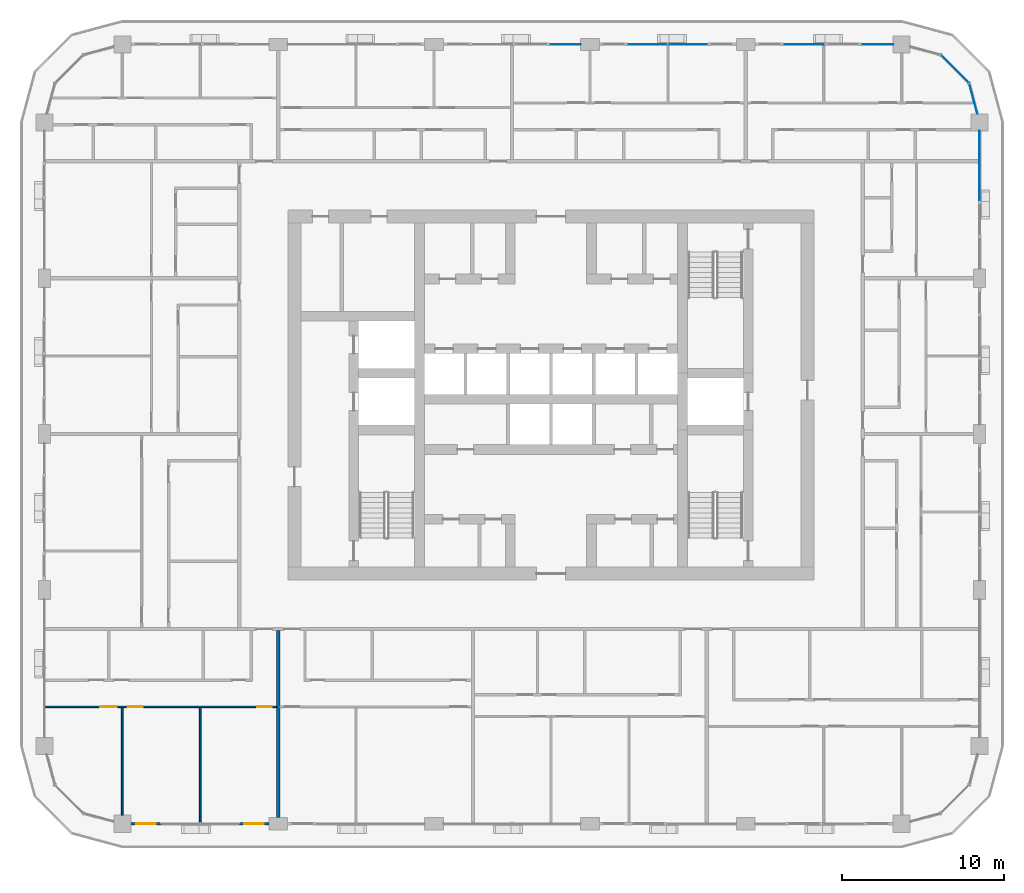
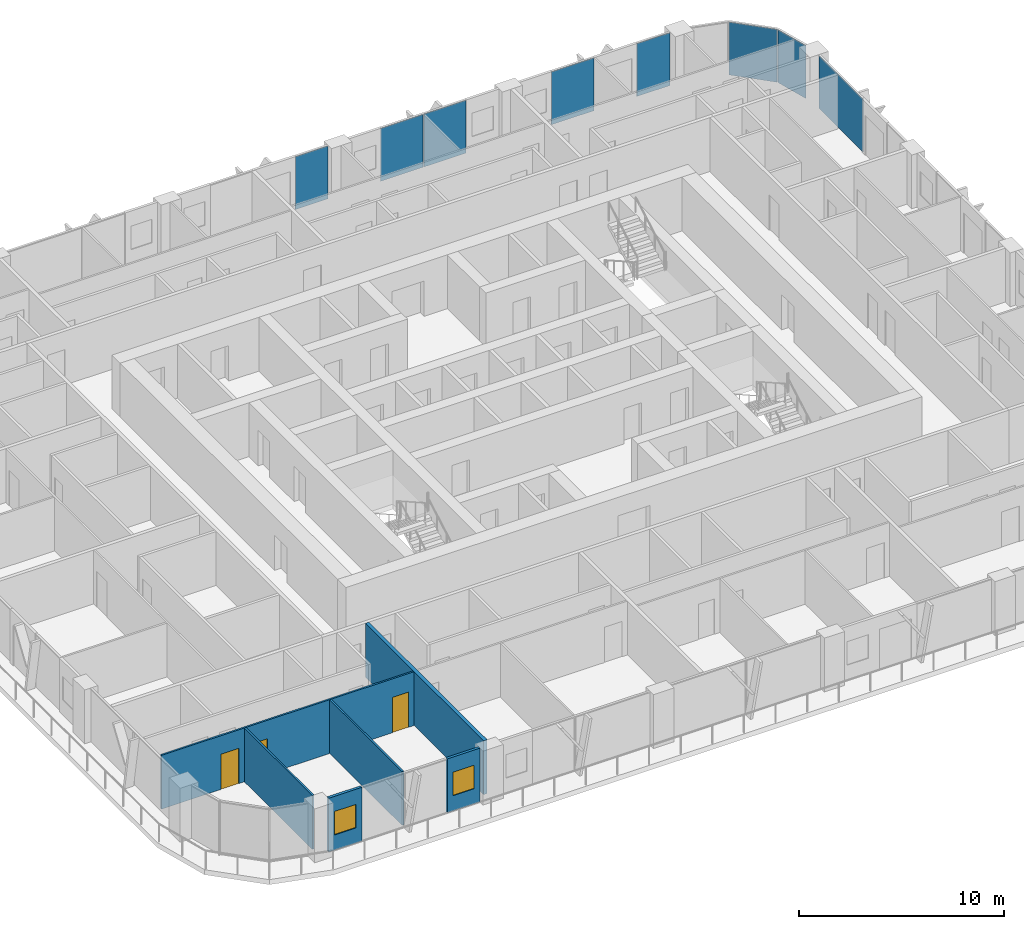
# One storey, part 8 of 22: 8 plates, 6 walls, 3 doors, 2 windows, 5 openings, 5 elements without a shape of their own.
"""IFC4 building model written with IfcOpenShell, lengths in metres."""

from ifc_helpers import new_model, si_unit, direction, frame, frame_2d, origin, origin_2d, place, context, subcontext, project, spatial, rectangle, extrude, material, layer, layer_set, type_object, element, fill, aggregate, save


model = new_model("IFC4")

# Units and contexts
model_context = context("Model", 3, precision=1e-05, world=origin(), true_north=direction((0.0, 1.0)))
body_context = subcontext(model_context, "Body", "Model", "MODEL_VIEW")
ifc_project = project(units=[si_unit("LENGTHUNIT", "METRE"), si_unit("AREAUNIT", "SQUARE_METRE"), si_unit("VOLUMEUNIT", "CUBIC_METRE"), si_unit("PLANEANGLEUNIT", "RADIAN"), si_unit("MASSUNIT", "GRAM", prefix="KILO")], contexts=[model_context])

# Site, building, storey
site_placement = place(None, origin())
site = spatial("IfcSite", under=ifc_project, at=site_placement, CompositionType="ELEMENT")
building_placement = place(site_placement, origin())
building = spatial("IfcBuilding", under=site, at=building_placement, Name="Madar Terraces", CompositionType="ELEMENT")
storey_placement = place(building_placement, frame((0.0, 0.0, 149.0)))
storey = spatial("IfcBuildingStorey", under=building, at=storey_placement, Name="L38", CompositionType="ELEMENT", Elevation=149.0)

# Curtain wall, plate
ifc_material_1 = material(Name="Glass, ceramic frit dark grey, with black aluminium frame", Category="aluminium")
ifc_layer_1 = layer(ifc_material_1, 0.199951171875)
ifc_layer_set_1 = layer_set([ifc_layer_1], Name="Facade curtain wall, fritted glass")
curtain_wall_type = type_object("IfcCurtainWallType", Name="Facade curtain wall, fritted glass", PredefinedType="NOTDEFINED", material=ifc_layer_set_1)
curtain_wall_1_placement = place(storey_placement, origin())
curtain_wall_1 = element("IfcCurtainWall", 1, at=curtain_wall_1_placement, inside=storey, type_object=curtain_wall_type, Name="Outer skin curtain wall east bay 4", PredefinedType="NOTDEFINED")
ifc_material_2 = material(Name="Glass, ceramic frit dark grey", Category="glass")
ifc_layer_2 = layer(ifc_material_2, 0.028076171875)
ifc_layer_set_2 = layer_set([ifc_layer_2], Name="Facade glass panel 28")
plate_type = type_object("IfcPlateType", Name="Facade glass panel 28", PredefinedType="CURTAIN_PANEL", material=ifc_layer_set_2)
plate_1_placement = place(storey_placement, frame((57.60009765625, 40.53759765625, 0.0), z_axis=(0.0, 0.0, 1.0), x_axis=(0.0, 1.0, 0.0)))
plate_1 = element("IfcPlate", 2, at=plate_1_placement, type_object=plate_type, Name="Panel 2", PredefinedType="CURTAIN_PANEL", context=body_context, shape_type="SweptSolid", body=[
    extrude(rectangle(XDim=4.27490234375, YDim=0.028076171875, at=origin_2d()), origin(), (0.0, 0.0, 1.0), 3.139892578125),
])
aggregate(curtain_wall_1, [plate_1])

# Curtain wall, plates
curtain_wall_2_placement = place(storey_placement, origin())
curtain_wall_2 = element("IfcCurtainWall", 3, at=curtain_wall_2_placement, inside=storey, type_object=curtain_wall_type, Name="Outer skin curtain wall north bay 1", PredefinedType="NOTDEFINED")
plate_2_placement = place(storey_placement, frame((51.33740234375, 48.0, 0.0), z_axis=(0.0, 0.0, 1.0), x_axis=(-1.0, 0.0, 0.0)))
plate_2 = element("IfcPlate", 4, at=plate_2_placement, type_object=plate_type, Name="Panel 1", PredefinedType="CURTAIN_PANEL", context=body_context, shape_type="SweptSolid", body=[
    extrude(rectangle(XDim=1.875, YDim=0.028076171875, at=origin_2d()), origin(), (0.0, 0.0, 1.0), 3.139892578125),
])
plate_3_placement = place(storey_placement, frame((46.800048828125, 48.0, 0.0), z_axis=(0.0, 0.0, 1.0), x_axis=(-1.0, 0.0, 0.0)))
plate_3 = element("IfcPlate", 5, at=plate_3_placement, type_object=plate_type, Name="Panel 2", PredefinedType="CURTAIN_PANEL", context=body_context, shape_type="SweptSolid", body=[
    extrude(rectangle(XDim=2.39990234375, YDim=0.028076171875, at=origin_2d()), origin(), (0.0, 0.0, 1.0), 3.139892578125),
])
aggregate(curtain_wall_2, [plate_2, plate_3])

curtain_wall_3_placement = place(storey_placement, origin())
curtain_wall_3 = element("IfcCurtainWall", 6, at=curtain_wall_3_placement, inside=storey, type_object=curtain_wall_type, Name="Outer skin curtain wall north bay 2", PredefinedType="NOTDEFINED")
plate_4_placement = place(storey_placement, frame((39.614990234375, 48.0, 0.0), z_axis=(0.0, 0.0, 1.0), x_axis=(-1.0, 0.0, 0.0)))
plate_4 = element("IfcPlate", 7, at=plate_4_placement, type_object=plate_type, Name="Panel 1", PredefinedType="CURTAIN_PANEL", context=body_context, shape_type="SweptSolid", body=[
    extrude(rectangle(XDim=2.3701171875, YDim=0.028076171875, at=origin_2d()), origin(), (0.0, 0.0, 1.0), 3.139892578125),
])
plate_5_placement = place(storey_placement, frame((37.18505859375, 48.0, 0.0), z_axis=(0.0, 0.0, 1.0), x_axis=(-1.0, 0.0, 0.0)))
plate_5 = element("IfcPlate", 8, at=plate_5_placement, type_object=plate_type, Name="Panel 2", PredefinedType="CURTAIN_PANEL", context=body_context, shape_type="SweptSolid", body=[
    extrude(rectangle(XDim=2.3701171875, YDim=0.028076171875, at=origin_2d()), origin(), (0.0, 0.0, 1.0), 3.139892578125),
])
aggregate(curtain_wall_3, [plate_4, plate_5])

# Curtain wall, plate
curtain_wall_4_placement = place(storey_placement, origin())
curtain_wall_4 = element("IfcCurtainWall", 9, at=curtain_wall_4_placement, inside=storey, type_object=curtain_wall_type, Name="Outer skin curtain wall north bay 3", PredefinedType="NOTDEFINED")
plate_6_placement = place(storey_placement, frame((32.112548828125, 48.0, 0.0), z_axis=(0.0, 0.0, 1.0), x_axis=(-1.0, 0.0, 0.0)))
plate_6 = element("IfcPlate", 10, at=plate_6_placement, type_object=plate_type, Name="Panel 1", PredefinedType="CURTAIN_PANEL", context=body_context, shape_type="SweptSolid", body=[
    extrude(rectangle(XDim=1.824951171875, YDim=0.028076171875, at=origin_2d()), origin(), (0.0, 0.0, 1.0), 3.139892578125),
])
aggregate(curtain_wall_4, [plate_6])

# Curtain wall, plates
curtain_wall_5_placement = place(storey_placement, origin())
curtain_wall_5 = element("IfcCurtainWall", 11, at=curtain_wall_5_placement, inside=storey, type_object=curtain_wall_type, Name="Outer skin curtain wall north-east corner", PredefinedType="NOTDEFINED")
plate_7_placement = place(storey_placement, frame((57.2119140625, 44.64794921875, 0.0), z_axis=(0.0, 0.0, 1.0), x_axis=(-0.258819021888, 0.965925832509, 0.0)))
plate_7 = element("IfcPlate", 12, at=plate_7_placement, type_object=plate_type, Name="Panel 1", PredefinedType="CURTAIN_PANEL", context=body_context, shape_type="SweptSolid", body=[
    extrude(rectangle(XDim=1.9111328125, YDim=0.028076171875, at=origin_2d()), origin(), (0.0, 0.0, 1.0), 3.139892578125),
])
plate_8_placement = place(storey_placement, frame((56.078369140625, 46.478515625, 0.0), z_axis=(0.0, 0.0, 1.0), x_axis=(-0.707106781187, 0.707106781187, 0.0)))
plate_8 = element("IfcPlate", 13, at=plate_8_placement, type_object=plate_type, Name="Panel 2", PredefinedType="CURTAIN_PANEL", context=body_context, shape_type="SweptSolid", body=[
    extrude(rectangle(XDim=2.424560546875, YDim=0.028076171875, at=origin_2d()), origin(), (0.0, 0.0, 1.0), 3.139892578125),
])
aggregate(curtain_wall_5, [plate_7, plate_8])

# Wall, opening, window
ifc_material_3 = material(Name="Aluminium composite panel, black, over insulated backing", Category="aluminium")
ifc_layer_3 = layer(ifc_material_3, 0.14990234375)
ifc_layer_set_3 = layer_set([ifc_layer_3], Name="Facade bay panel 150")
wall_type_1 = type_object("IfcWallType", Name="Facade bay panel 150", PredefinedType="SOLIDWALL", material=ifc_layer_set_3)
wall_1_placement = place(storey_placement, frame((5.324951171875, 0.0, 0.0), z_axis=(0.0, 0.0, 1.0), x_axis=(1.0, 0.0, 0.0)))
wall_1 = element("IfcWall", 14, at=wall_1_placement, inside=storey, type_object=wall_type_1, Name="Facade bay panel", PredefinedType="SOLIDWALL", context=body_context, shape_type="SweptSolid", body=[
    extrude(rectangle(XDim=1.875, YDim=0.14990234375, at=frame_2d((0.9375, 0.0))), origin(), (0.0, 0.0, 1.0), 3.199951171875),
])
opening_1_placement = place(wall_1_placement, frame((0.33740234375, 0.0, 0.89990234375)))
opening_1 = element("IfcOpeningElement", 15, at=opening_1_placement, cuts=wall_1, Name="Opening W1", PredefinedType="OPENING", context=body_context, shape_type="SweptSolid", body=[
    extrude(rectangle(XDim=1.199951171875, YDim=1.39990234375, at=frame_2d((0.60009765625, 0.699951171875))), frame((0.0, 0.0849609375, 0.0), z_axis=(0.0, -1.0, 0.0), x_axis=(1.0, 0.0, 0.0)), (0.0, 0.0, 1.0), 0.169921875),
])
ifc_material_4 = material(Name="Glass, clear, with black aluminium frame", Category="aluminium")
window_type = type_object("IfcWindowType", Name="Vent window 1200 x 1400", PartitioningType="SINGLE_PANEL", PredefinedType="WINDOW", material=ifc_material_4)
window_1_placement = place(opening_1_placement, origin())
window_1 = element("IfcWindow", 16, at=window_1_placement, inside=storey, type_object=window_type, Name="Operable vent window", OverallHeight=1.39990234375, OverallWidth=1.199951171875, PartitioningType="SINGLE_PANEL", PredefinedType="WINDOW", context=body_context, shape_type="SweptSolid", body=[
    extrude(rectangle(XDim=1.199951171875, YDim=1.39990234375, at=frame_2d((0.60009765625, 0.699951171875))), frame((0.0, 0.030029296875, 0.0), z_axis=(0.0, -1.0, 0.0), x_axis=(1.0, 0.0, 0.0)), (0.0, 0.0, 1.0), 0.06005859375),
])
fill(opening_1, window_1)

wall_2_placement = place(storey_placement, frame((12.0, 0.0, 0.0), z_axis=(0.0, 0.0, 1.0), x_axis=(1.0, 0.0, 0.0)))
wall_2 = element("IfcWall", 17, at=wall_2_placement, inside=storey, type_object=wall_type_1, Name="Facade bay panel", PredefinedType="SOLIDWALL", context=body_context, shape_type="SweptSolid", body=[
    extrude(rectangle(XDim=1.824951171875, YDim=0.14990234375, at=frame_2d((0.91259765625, 0.0))), origin(), (0.0, 0.0, 1.0), 3.199951171875),
])
opening_2_placement = place(wall_2_placement, frame((0.3125, 0.0, 0.89990234375)))
opening_2 = element("IfcOpeningElement", 18, at=opening_2_placement, cuts=wall_2, Name="Opening W1", PredefinedType="OPENING", context=body_context, shape_type="SweptSolid", body=[
    extrude(rectangle(XDim=1.199951171875, YDim=1.39990234375, at=frame_2d((0.60009765625, 0.699951171875))), frame((0.0, 0.0849609375, 0.0), z_axis=(0.0, -1.0, 0.0), x_axis=(1.0, 0.0, 0.0)), (0.0, 0.0, 1.0), 0.169921875),
])
window_2_placement = place(opening_2_placement, origin())
window_2 = element("IfcWindow", 19, at=window_2_placement, inside=storey, type_object=window_type, Name="Operable vent window", OverallHeight=1.39990234375, OverallWidth=1.199951171875, PartitioningType="SINGLE_PANEL", PredefinedType="WINDOW", context=body_context, shape_type="SweptSolid", body=[
    extrude(rectangle(XDim=1.199951171875, YDim=1.39990234375, at=frame_2d((0.60009765625, 0.699951171875))), frame((0.0, 0.030029296875, 0.0), z_axis=(0.0, -1.0, 0.0), x_axis=(1.0, 0.0, 0.0)), (0.0, 0.0, 1.0), 0.06005859375),
])
fill(opening_2, window_2)

# Walls
ifc_material_5 = material(Name="Gypsum board on steel studs", Category="steel")
ifc_layer_4 = layer(ifc_material_5, 0.10009765625)
ifc_layer_set_4 = layer_set([ifc_layer_4], Name="Flat partition 100")
wall_type_2 = type_object("IfcWallType", Name="Flat partition 100", PredefinedType="PARTITIONING", material=ifc_layer_set_4)
wall_3_placement = place(storey_placement, frame((9.60009765625, 7.14990234375, 0.0), z_axis=(0.0, 0.0, 1.0), x_axis=(0.0, -1.0, 0.0)))
element("IfcWall", 20, at=wall_3_placement, inside=storey, type_object=wall_type_2, Name="Flat partition 100", PredefinedType="PARTITIONING", context=body_context, shape_type="SweptSolid", body=[
    extrude(rectangle(XDim=7.0498046875, YDim=0.10009765625, at=frame_2d((3.52490234375, 0.0))), origin(), (0.0, 0.0, 1.0), 3.199951171875),
])
wall_4_placement = place(storey_placement, frame((4.800048828125, 7.14990234375, 0.0), z_axis=(0.0, 0.0, 1.0), x_axis=(0.0, -1.0, 0.0)))
element("IfcWall", 21, at=wall_4_placement, inside=storey, type_object=wall_type_2, Name="Flat partition 100", PredefinedType="PARTITIONING", context=body_context, shape_type="SweptSolid", body=[
    extrude(rectangle(XDim=6.625, YDim=0.10009765625, at=frame_2d((3.3125, 0.0))), origin(), (0.0, 0.0, 1.0), 3.199951171875),
])

# Wall, openings, doors
wall_5_placement = place(storey_placement, frame((14.300048828125, 7.199951171875, 0.0), z_axis=(0.0, 0.0, 1.0), x_axis=(-1.0, 0.0, 0.0)))
wall_5 = element("IfcWall", 22, at=wall_5_placement, inside=storey, type_object=wall_type_2, Name="Flat partition 100", PredefinedType="PARTITIONING", context=body_context, shape_type="SweptSolid", body=[
    extrude(rectangle(XDim=14.199951171875, YDim=0.10009765625, at=frame_2d((7.10009765625, 0.0))), origin(), (0.0, 0.0, 1.0), 3.199951171875),
])
opening_3_placement = place(wall_5_placement, frame((0.300048828125, 0.0, 0.0)))
opening_3 = element("IfcOpeningElement", 23, at=opening_3_placement, cuts=wall_5, Name="Opening D2", PredefinedType="OPENING", context=body_context, shape_type="SweptSolid", body=[
    extrude(rectangle(XDim=0.89990234375, YDim=2.10009765625, at=frame_2d((0.449951171875, 1.050048828125))), frame((0.0, 0.06005859375, 0.0), z_axis=(0.0, -1.0, 0.0), x_axis=(1.0, 0.0, 0.0)), (0.0, 0.0, 1.0), 0.1201171875),
])
opening_4_placement = place(wall_5_placement, frame((8.25, 0.0, 0.0)))
opening_4 = element("IfcOpeningElement", 24, at=opening_4_placement, cuts=wall_5, Name="Opening D2", PredefinedType="OPENING", context=body_context, shape_type="SweptSolid", body=[
    extrude(rectangle(XDim=0.89990234375, YDim=2.10009765625, at=frame_2d((0.449951171875, 1.050048828125))), frame((0.0, 0.06005859375, 0.0), z_axis=(0.0, -1.0, 0.0), x_axis=(1.0, 0.0, 0.0)), (0.0, 0.0, 1.0), 0.1201171875),
])
opening_5_placement = place(wall_5_placement, frame((9.85009765625, 0.0, 0.0)))
opening_5 = element("IfcOpeningElement", 25, at=opening_5_placement, cuts=wall_5, Name="Opening D3", PredefinedType="OPENING", context=body_context, shape_type="SweptSolid", body=[
    extrude(rectangle(XDim=1.0, YDim=2.10009765625, at=frame_2d((0.5, 1.050048828125))), frame((0.0, 0.06005859375, 0.0), z_axis=(0.0, -1.0, 0.0), x_axis=(1.0, 0.0, 0.0)), (0.0, 0.0, 1.0), 0.1201171875),
])
ifc_material_6 = material(Name="Timber door leaf", Category="wood")
door_type_1 = type_object("IfcDoorType", Name="Flat living room door 1000", OperationType="NOTDEFINED", PredefinedType="DOOR", material=ifc_material_6)
door_1_placement = place(opening_5_placement, origin())
door_1 = element("IfcDoor", 26, at=door_1_placement, inside=storey, type_object=door_type_1, Name="Flat living room door 1000", OperationType="SINGLE_SWING_LEFT", OverallHeight=2.10009765625, OverallWidth=1.0, PredefinedType="DOOR", context=body_context, shape_type="SweptSolid", body=[
    extrude(rectangle(XDim=1.0, YDim=2.10009765625, at=frame_2d((0.5, 1.050048828125))), frame((0.0, 0.02490234375, 0.0), z_axis=(0.0, -1.0, 0.0), x_axis=(1.0, 0.0, 0.0)), (0.0, 0.0, 1.0), 0.050048828125),
])
fill(opening_5, door_1)
ifc_material_7 = material(Name="Timber door leaf", Category="wood")
door_type_2 = type_object("IfcDoorType", Name="Flat room door 900", OperationType="NOTDEFINED", PredefinedType="DOOR", material=ifc_material_7)
door_2_placement = place(opening_3_placement, origin())
door_2 = element("IfcDoor", 27, at=door_2_placement, inside=storey, type_object=door_type_2, Name="Flat room door 900", OperationType="SINGLE_SWING_LEFT", OverallHeight=2.10009765625, OverallWidth=0.89990234375, PredefinedType="DOOR", context=body_context, shape_type="SweptSolid", body=[
    extrude(rectangle(XDim=0.89990234375, YDim=2.10009765625, at=frame_2d((0.449951171875, 1.050048828125))), frame((0.0, 0.02490234375, 0.0), z_axis=(0.0, -1.0, 0.0), x_axis=(1.0, 0.0, 0.0)), (0.0, 0.0, 1.0), 0.050048828125),
])
fill(opening_3, door_2)
door_3_placement = place(opening_4_placement, origin())
door_3 = element("IfcDoor", 28, at=door_3_placement, inside=storey, type_object=door_type_2, Name="Flat room door 900", OperationType="SINGLE_SWING_RIGHT", OverallHeight=2.10009765625, OverallWidth=0.89990234375, PredefinedType="DOOR", context=body_context, shape_type="SweptSolid", body=[
    extrude(rectangle(XDim=0.89990234375, YDim=2.10009765625, at=frame_2d((0.449951171875, 1.050048828125))), frame((0.0, 0.02490234375, 0.0), z_axis=(0.0, -1.0, 0.0), x_axis=(1.0, 0.0, 0.0)), (0.0, 0.0, 1.0), 0.050048828125),
])
fill(opening_4, door_3)

# Wall
ifc_material_8 = material(Name="Lightweight blockwork", Category="masonry")
ifc_layer_5 = layer(ifc_material_8, 0.199951171875)
ifc_layer_set_5 = layer_set([ifc_layer_5], Name="Flat party and entrance wall 200")
wall_type_3 = type_object("IfcWallType", Name="Flat party and entrance wall 200", PredefinedType="PARTITIONING", material=ifc_layer_set_5)
wall_6_placement = place(storey_placement, frame((14.39990234375, 11.89990234375, 0.0), z_axis=(0.0, 0.0, 1.0), x_axis=(0.0, -1.0, 0.0)))
element("IfcWall", 29, at=wall_6_placement, inside=storey, type_object=wall_type_3, Name="Flat party and entrance wall 200", PredefinedType="PARTITIONING", context=body_context, shape_type="SweptSolid", body=[
    extrude(rectangle(XDim=11.52490234375, YDim=0.199951171875, at=frame_2d((5.762451171875, 0.0))), origin(), (0.0, 0.0, 1.0), 3.199951171875),
])

save(model, "model.ifc")
